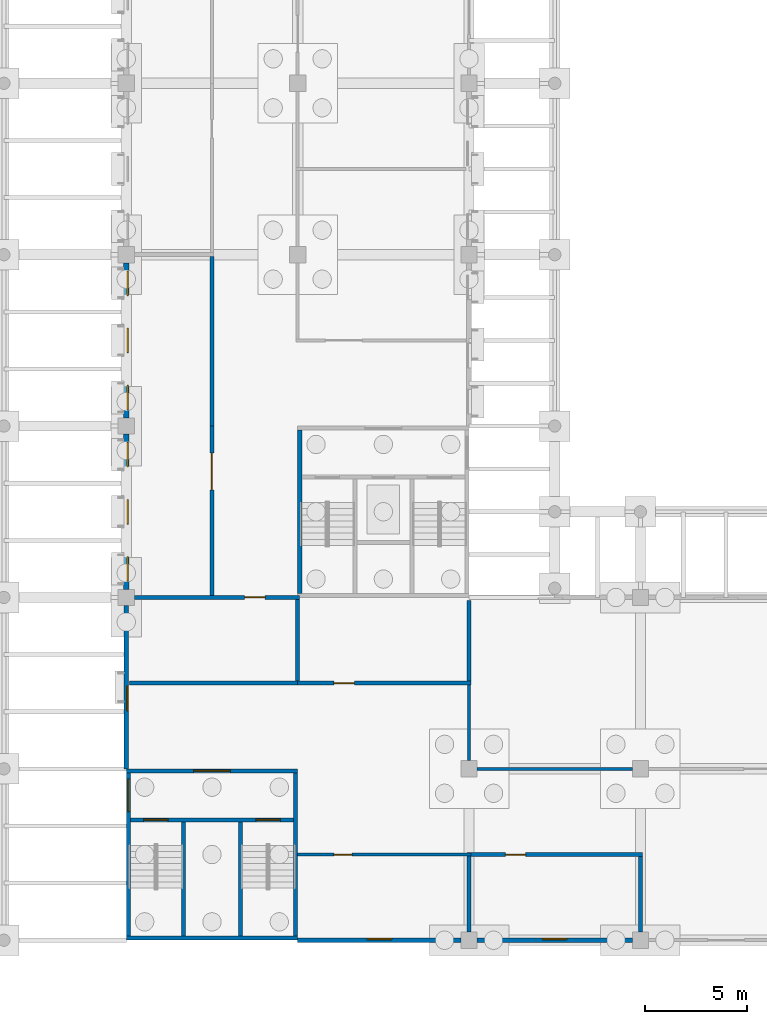
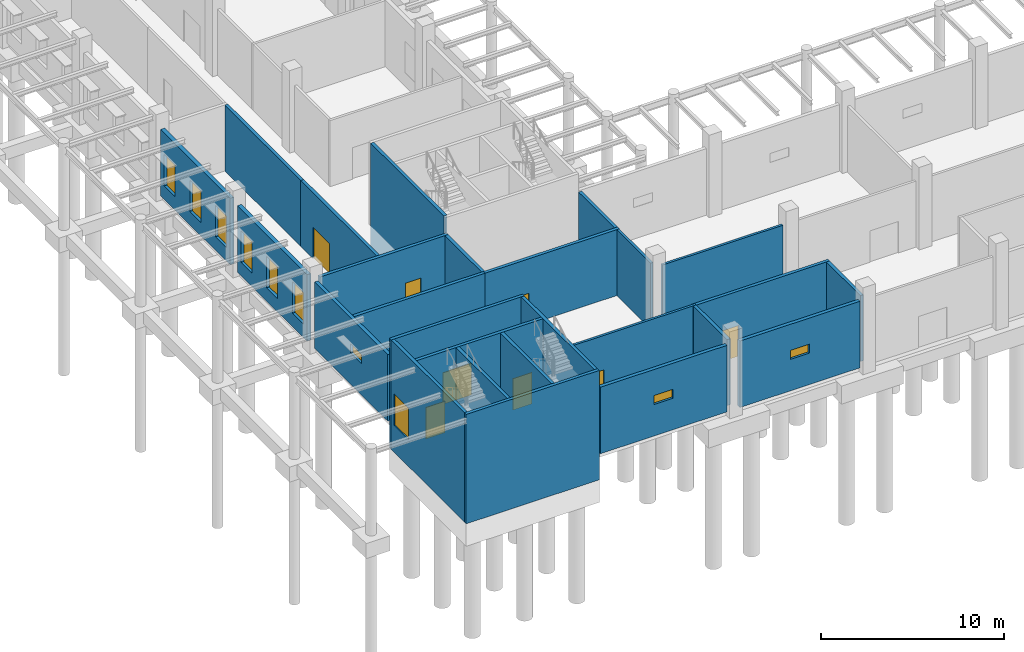
# One storey, part 25 of 82: 26 walls, 9 doors, 9 windows, 18 openings.
"""IFC4 building model written with IfcOpenShell, lengths in metres."""

import ifcopenshell
import ifcopenshell.guid

model = None  # the IFC model being written
_history = None  # IfcOwnerHistory: only IFC2X3 demands one
_inside = {}  # id of a spatial element -> (the spatial element, [elements in it])
_under = {}  # id of a project, library or spatial element -> (it, [spatial elements below it])
_declared = {}  # id of a project -> (the project, [libraries it declares])
_typed = {}  # id of a type object -> (the type object, [elements of that type])
_made_of = {}  # id of a material, layer set ... -> (it, [elements and type objects made of it])


def new_model(schema):
    """Start an empty IFC model of exactly this schema.

    Asked for "IFC4X3", IfcOpenShell would pick the latest addendum, in which some entities
    have other attributes; the version numbers below select the first issue.
    IFC2X3 requires an IfcOwnerHistory on every rooted entity: one is made here for all.
    """
    global model, _history
    if schema == "IFC4X3":
        model = ifcopenshell.file(schema_version=(4, 3, 0, 0))
    else:
        model = ifcopenshell.file(schema=schema)
    _inside.clear()
    _under.clear()
    _declared.clear()
    _typed.clear()
    _made_of.clear()
    _history = None
    if model.schema == "IFC2X3":
        org = make("IfcOrganization", Name="unknown")
        user = make(
            "IfcPersonAndOrganization",
            ThePerson=make("IfcPerson", FamilyName="unknown"),
            TheOrganization=org,
        )
        app = make(
            "IfcApplication",
            ApplicationDeveloper=org,
            Version="unknown",
            ApplicationFullName="unknown",
            ApplicationIdentifier="unknown",
        )
        _history = make(
            "IfcOwnerHistory",
            OwningUser=user,
            OwningApplication=app,
            ChangeAction="ADDED",
            CreationDate=0,
        )
    return model


def make(cls, **values):
    """One entity of the class cls with the attributes given. An attribute that is None is left unset."""
    return model.create_entity(
        cls, **{name: value for name, value in values.items() if value is not None}
    )


def rooted(cls, **values):
    """An entity with a GlobalId (a new one), such as an element, a storey or a relation."""
    return make(cls, GlobalId=ifcopenshell.guid.new(), OwnerHistory=_history, **values)


def si_unit(unit_type, name, prefix=None):
    """IfcSIUnit, for example si_unit("LENGTHUNIT", "METRE", prefix="MILLI")."""
    return make("IfcSIUnit", UnitType=unit_type, Prefix=prefix, Name=name)


def assignment(units):
    """IfcUnitAssignment: the units of a project."""
    return None if units is None else make("IfcUnitAssignment", Units=units)


def point(xyz):
    """IfcCartesianPoint."""
    return None if xyz is None else make("IfcCartesianPoint", Coordinates=xyz)


def direction(xyz):
    """IfcDirection."""
    return None if xyz is None else make("IfcDirection", DirectionRatios=xyz)


def frame(location, z_axis=None, x_axis=None):
    """IfcAxis2Placement3D, a coordinate frame: its origin and axes. An axis left out is left unset."""
    return make(
        "IfcAxis2Placement3D",
        Location=point(location),
        Axis=direction(z_axis),
        RefDirection=direction(x_axis),
    )


def frame_2d(location, x_axis=None):
    """IfcAxis2Placement2D, a coordinate frame in the plane: its origin and x axis."""
    return make(
        "IfcAxis2Placement2D", Location=point(location), RefDirection=direction(x_axis)
    )


def origin():
    """The frame at (0, 0, 0) with its axes left unset."""
    return frame((0.0, 0.0, 0.0))


def place(relative_to, where):
    """IfcLocalPlacement: puts the frame where relative to a parent placement (None: the world)."""
    return make(
        "IfcLocalPlacement", PlacementRelTo=relative_to, RelativePlacement=where
    )


def context(
    kind, dimensions, precision=None, world=None, true_north=None, identifier=None
):
    """IfcGeometricRepresentationContext, for example the 3D "Model" context."""
    return make(
        "IfcGeometricRepresentationContext",
        ContextIdentifier=identifier,
        ContextType=kind,
        CoordinateSpaceDimension=dimensions,
        Precision=precision,
        WorldCoordinateSystem=world,
        TrueNorth=true_north,
    )


def subcontext(parent, identifier, kind, view, scale=None):
    """IfcGeometricRepresentationSubContext, for example "Body" below "Model"."""
    return make(
        "IfcGeometricRepresentationSubContext",
        ContextIdentifier=identifier,
        ContextType=kind,
        ParentContext=parent,
        TargetScale=scale,
        TargetView=view,
    )


def project(units=None, contexts=None):
    """IfcProject with its units and contexts."""
    return rooted(
        "IfcProject",
        Name="project",
        RepresentationContexts=contexts,
        UnitsInContext=assignment(units),
    )


def spatial(cls, under=None, at=None, **own):
    """A site, building, storey or space (cls), placed at a placement, below another one or the project."""
    s = rooted(cls, ObjectPlacement=at, **own)
    if under is not None:
        _under.setdefault(under.id(), (under, []))[1].append(s)
    return s


def profile(cls, at=None, kind="AREA", **sizes):
    """A parametric profile (cls). Its sizes go by their IFC names, for example OverallWidth=200.0."""
    return make(cls, ProfileType=kind, Position=at, **sizes)


def rectangle(**sizes):
    """IfcRectangleProfileDef."""
    return profile("IfcRectangleProfileDef", **sizes)


def extrude(swept, where, along, depth):
    """IfcExtrudedAreaSolid: the profile swept, set in the frame where, extruded along a direction by depth."""
    return make(
        "IfcExtrudedAreaSolid",
        SweptArea=swept,
        Position=where,
        ExtrudedDirection=direction(along),
        Depth=depth,
    )


def shape(context_of_items, identifier, shape_type, items):
    """IfcShapeRepresentation: the items that make up one representation, for example the "Body"."""
    return make(
        "IfcShapeRepresentation",
        ContextOfItems=context_of_items,
        RepresentationIdentifier=identifier,
        RepresentationType=shape_type,
        Items=items,
    )


def material(Name=None, Category=None):
    """IfcMaterial."""
    return make("IfcMaterial", Name=Name, Category=Category)


def layer(
    of_material, thickness, ventilated=None, Name=None, Category=None, Priority=None
):
    """IfcMaterialLayer: one layer of a wall or slab, of a material (None: an air gap)."""
    return make(
        "IfcMaterialLayer",
        Material=of_material,
        LayerThickness=thickness,
        IsVentilated=ventilated,
        Name=Name,
        Category=Category,
        Priority=Priority,
    )


def layer_set(layers, Name=None):
    """IfcMaterialLayerSet."""
    return make("IfcMaterialLayerSet", MaterialLayers=layers, LayerSetName=Name)


def made_of(thing, what):
    """Note that an element or type object is made of a material, layer set ...; save() writes the relation."""
    if what is not None:
        _made_of.setdefault(what.id(), (what, []))[1].append(thing)
    return thing


def type_object(cls, material=None, **own):
    """A type object (cls), such as IfcWallType, which elements share."""
    return made_of(rooted(cls, **own), material)


def element(
    cls,
    number,
    at=None,
    inside=None,
    cuts=None,
    type_object=None,
    material=None,
    context=None,
    identifier="Body",
    shape_type=None,
    held_by="IfcProductDefinitionShape",
    body=None,
    shapes=None,
    **own,
):
    """One element of the class cls, such as IfcWall. Its Tag is "e" and its number.

    at: its placement. inside: the storey or other place that contains it. cuts: it is an
    opening in that element (IfcRelVoidsElement). A single representation is given by context,
    identifier, shape_type and body (its items); several are given by shapes. held_by: the class
    of the entity that holds the representations. save() writes the other relations.
    """
    e = rooted(cls, Tag="e%d" % number, ObjectPlacement=at, **own)
    if body is not None:
        shapes = [shape(context, identifier, shape_type, body)]
    if shapes is not None:
        e.Representation = make(held_by, Representations=shapes)
    if inside is not None:
        _inside.setdefault(inside.id(), (inside, []))[1].append(e)
    if cuts is not None:
        rooted(
            "IfcRelVoidsElement", RelatingBuildingElement=cuts, RelatedOpeningElement=e
        )
    if type_object is not None:
        _typed.setdefault(type_object.id(), (type_object, []))[1].append(e)
    return made_of(e, material)


def fill(opening, filler):
    """IfcRelFillsElement: the door or window that sits in an opening."""
    return rooted(
        "IfcRelFillsElement",
        RelatingOpeningElement=opening,
        RelatedBuildingElement=filler,
    )


def aggregate(whole, parts):
    """IfcRelAggregates: a whole, such as a stair, and the parts it consists of."""
    return rooted("IfcRelAggregates", RelatingObject=whole, RelatedObjects=parts)


def save(model, path):
    """Write the relations noted so far, then the file.

    IfcRelAggregates (storeys below a building ...), IfcRelContainedInSpatialStructure (elements
    in a storey), IfcRelDefinesByType, IfcRelAssociatesMaterial and IfcRelDeclares: one each for
    every whole, place, type object, material and project.
    """
    for whole, parts in _under.values():
        aggregate(whole, parts)
    for where, things in _inside.values():
        rooted(
            "IfcRelContainedInSpatialStructure",
            RelatedElements=things,
            RelatingStructure=where,
        )
    for kind, things in _typed.values():
        rooted("IfcRelDefinesByType", RelatedObjects=things, RelatingType=kind)
    for what, things in _made_of.values():
        rooted("IfcRelAssociatesMaterial", RelatedObjects=things, RelatingMaterial=what)
    for by, libraries in _declared.values():
        rooted("IfcRelDeclares", RelatingContext=by, RelatedDefinitions=libraries)
    model.write(path)


model = new_model("IFC4")

# Units and contexts
model_context = context("Model", 3, precision=1e-05, world=origin(), true_north=direction((0.0, 1.0)))
body_context = subcontext(model_context, "Body", "Model", "MODEL_VIEW")
ifc_project = project(units=[si_unit("LENGTHUNIT", "METRE"), si_unit("AREAUNIT", "SQUARE_METRE"), si_unit("VOLUMEUNIT", "CUBIC_METRE"), si_unit("PLANEANGLEUNIT", "RADIAN"), si_unit("MASSUNIT", "GRAM", prefix="KILO")], contexts=[model_context])

# Site, building, storey
site_placement = place(None, origin())
site = spatial("IfcSite", under=ifc_project, at=site_placement, CompositionType="ELEMENT")
building_placement = place(site_placement, origin())
building = spatial("IfcBuilding", under=site, at=building_placement, Name="Almond Square Museum", CompositionType="ELEMENT")
storey_placement = place(building_placement, origin())
storey = spatial("IfcBuildingStorey", under=building, at=storey_placement, Name="L00", CompositionType="ELEMENT", Elevation=0.0)

# Wall, opening, door
ifc_material_1 = material(Name="Concrete blockwork 200", Category="masonry")
ifc_layer_1 = layer(ifc_material_1, 0.199951171875)
ifc_layer_set_1 = layer_set([ifc_layer_1], Name="Concrete blockwork 200")
wall_type_1 = type_object("IfcWallType", Name="Fire partition 200 blockwork", PredefinedType="PARTITIONING", material=ifc_layer_set_1)
wall_1_placement = place(storey_placement, frame((10.199951171875, 16.89990234375, 0.0), z_axis=(0.0, 0.0, 1.0), x_axis=(0.0, 1.0, 0.0)))
wall_1 = element("IfcWall", 1, at=wall_1_placement, inside=storey, type_object=wall_type_1, Name="L00 partition 59", PredefinedType="PARTITIONING", context=body_context, shape_type="SweptSolid", body=[
    extrude(rectangle(XDim=8.300048828125, YDim=0.199951171875, at=frame_2d((4.14990234375, 0.0))), origin(), (0.0, 0.0, 1.0), 4.39990234375),
])
opening_1_placement = place(wall_1_placement, frame((5.175048828125, 0.0, 0.0)))
opening_1 = element("IfcOpeningElement", 2, at=opening_1_placement, cuts=wall_1, Name="Opening D0120", PredefinedType="OPENING", context=body_context, shape_type="SweptSolid", body=[
    extrude(rectangle(XDim=1.800048828125, YDim=2.10009765625, at=frame_2d((0.89990234375, 1.050048828125))), frame((0.0, 0.10986328125, 0.0), z_axis=(0.0, -1.0, 0.0), x_axis=(1.0, 0.0, 0.0)), (0.0, 0.0, 1.0), 0.219970703125),
])
ifc_material_2 = material(Name="Steel", Category="steel")
door_type_1 = type_object("IfcDoorType", Name="Fire door 1800 x 2100 FD60 double", OperationType="NOTDEFINED", PredefinedType="DOOR", material=ifc_material_2)
door_1_placement = place(opening_1_placement, origin())
door_1 = element("IfcDoor", 3, at=door_1_placement, inside=storey, type_object=door_type_1, Name="L00 door Learning Store to Wing Corridor", OperationType="DOUBLE_DOOR_SINGLE_SWING", OverallHeight=2.10009765625, OverallWidth=1.800048828125, PredefinedType="DOOR", context=body_context, shape_type="SweptSolid", body=[
    extrude(rectangle(XDim=1.800048828125, YDim=2.10009765625, at=frame_2d((0.89990234375, 1.050048828125))), frame((0.0, 0.02490234375, 0.0), z_axis=(0.0, -1.0, 0.0), x_axis=(1.0, 0.0, 0.0)), (0.0, 0.0, 1.0), 0.050048828125),
])
fill(opening_1, door_1)

# Wall
wall_2_placement = place(storey_placement, frame((10.199951171875, 25.199951171875, 0.0), z_axis=(0.0, 0.0, 1.0), x_axis=(0.0, 1.0, 0.0)))
element("IfcWall", 4, at=wall_2_placement, inside=storey, type_object=wall_type_1, Name="L00 partition 60", PredefinedType="PARTITIONING", context=body_context, shape_type="SweptSolid", body=[
    extrude(rectangle(XDim=8.300048828125, YDim=0.199951171875, at=frame_2d((4.14990234375, 0.0))), origin(), (0.0, 0.0, 1.0), 4.39990234375),
])

# Wall, opening, door
wall_3_placement = place(storey_placement, frame((6.39990234375, 16.800048828125, 0.0), z_axis=(0.0, 0.0, 1.0), x_axis=(1.0, 0.0, 0.0)))
wall_3 = element("IfcWall", 5, at=wall_3_placement, inside=storey, type_object=wall_type_1, Name="L00 partition 65", PredefinedType="PARTITIONING", context=body_context, shape_type="SweptSolid", body=[
    extrude(rectangle(XDim=8.10009765625, YDim=0.199951171875, at=frame_2d((4.050048828125, 0.0))), origin(), (0.0, 0.0, 1.0), 4.39990234375),
])
opening_2_placement = place(wall_3_placement, frame((5.39990234375, 0.0, 0.0)))
opening_2 = element("IfcOpeningElement", 6, at=opening_2_placement, cuts=wall_3, Name="Opening D0124", PredefinedType="OPENING", context=body_context, shape_type="SweptSolid", body=[
    extrude(rectangle(XDim=1.0, YDim=2.10009765625, at=frame_2d((0.5, 1.050048828125))), frame((0.0, 0.10986328125, 0.0), z_axis=(0.0, -1.0, 0.0), x_axis=(1.0, 0.0, 0.0)), (0.0, 0.0, 1.0), 0.219970703125),
])
ifc_material_3 = material(Name="Steel", Category="steel")
door_type_2 = type_object("IfcDoorType", Name="Fire door 1000 x 2100 FD60 single", OperationType="NOTDEFINED", PredefinedType="DOOR", material=ifc_material_3)
door_2_placement = place(opening_2_placement, origin())
door_2 = element("IfcDoor", 7, at=door_2_placement, inside=storey, type_object=door_type_2, Name="L00 door Waste and Recycling Store to Wing Corridor", OperationType="SINGLE_SWING_LEFT", OverallHeight=2.10009765625, OverallWidth=1.0, PredefinedType="DOOR", context=body_context, shape_type="SweptSolid", body=[
    extrude(rectangle(XDim=1.0, YDim=2.10009765625, at=frame_2d((0.5, 1.050048828125))), frame((0.0, 0.02490234375, 0.0), z_axis=(0.0, -1.0, 0.0), x_axis=(1.0, 0.0, 0.0)), (0.0, 0.0, 1.0), 0.050048828125),
])
fill(opening_2, door_2)

# Walls
wall_4_placement = place(storey_placement, frame((14.39990234375, 12.699951171875, 0.0), z_axis=(0.0, 0.0, 1.0), x_axis=(0.0, 1.0, 0.0)))
element("IfcWall", 8, at=wall_4_placement, inside=storey, type_object=wall_type_1, Name="L00 partition 71", PredefinedType="PARTITIONING", context=body_context, shape_type="SweptSolid", body=[
    extrude(rectangle(XDim=4.0, YDim=0.199951171875, at=frame_2d((2.0, 0.0))), origin(), (0.0, 0.0, 1.0), 4.39990234375),
])
wall_5_placement = place(storey_placement, frame((22.800048828125, 12.699951171875, 0.0), z_axis=(0.0, 0.0, 1.0), x_axis=(0.0, 1.0, 0.0)))
element("IfcWall", 9, at=wall_5_placement, inside=storey, type_object=wall_type_1, Name="L00 partition 72", PredefinedType="PARTITIONING", context=body_context, shape_type="SweptSolid", body=[
    extrude(rectangle(XDim=3.949951171875, YDim=0.199951171875, at=frame_2d((1.97509765625, 0.0))), origin(), (0.0, 0.0, 1.0), 4.39990234375),
])
wall_6_placement = place(storey_placement, frame((6.14990234375, 12.60009765625, 0.0), z_axis=(0.0, 0.0, 1.0), x_axis=(1.0, 0.0, 0.0)))
element("IfcWall", 10, at=wall_6_placement, inside=storey, type_object=wall_type_1, Name="L00 partition 78", PredefinedType="PARTITIONING", context=body_context, shape_type="SweptSolid", body=[
    extrude(rectangle(XDim=8.25, YDim=0.199951171875, at=frame_2d((4.125, 0.0))), origin(), (0.0, 0.0, 1.0), 4.39990234375),
])

# Wall, opening, door
wall_7_placement = place(storey_placement, frame((14.39990234375, 12.60009765625, 0.0), z_axis=(0.0, 0.0, 1.0), x_axis=(1.0, 0.0, 0.0)))
wall_7 = element("IfcWall", 11, at=wall_7_placement, inside=storey, type_object=wall_type_1, Name="L00 partition 79", PredefinedType="PARTITIONING", context=body_context, shape_type="SweptSolid", body=[
    extrude(rectangle(XDim=8.5, YDim=0.199951171875, at=frame_2d((4.25, 0.0))), origin(), (0.0, 0.0, 1.0), 4.39990234375),
])
opening_3_placement = place(wall_7_placement, frame((1.77490234375, 0.0, 0.0)))
opening_3 = element("IfcOpeningElement", 12, at=opening_3_placement, cuts=wall_7, Name="Opening D0122", PredefinedType="OPENING", context=body_context, shape_type="SweptSolid", body=[
    extrude(rectangle(XDim=1.0, YDim=2.10009765625, at=frame_2d((0.5, 1.050048828125))), frame((0.0, 0.10986328125, 0.0), z_axis=(0.0, -1.0, 0.0), x_axis=(1.0, 0.0, 0.0)), (0.0, 0.0, 1.0), 0.219970703125),
])
door_3_placement = place(opening_3_placement, origin())
door_3 = element("IfcDoor", 13, at=door_3_placement, inside=storey, type_object=door_type_2, Name="L00 door Electrical Room to Service Corridor 2", OperationType="SINGLE_SWING_LEFT", OverallHeight=2.10009765625, OverallWidth=1.0, PredefinedType="DOOR", context=body_context, shape_type="SweptSolid", body=[
    extrude(rectangle(XDim=1.0, YDim=2.10009765625, at=frame_2d((0.5, 1.050048828125))), frame((0.0, 0.02490234375, 0.0), z_axis=(0.0, -1.0, 0.0), x_axis=(1.0, 0.0, 0.0)), (0.0, 0.0, 1.0), 0.050048828125),
])
fill(opening_3, door_3)

wall_8_placement = place(storey_placement, frame((22.699951171875, 4.199951171875, 0.0), z_axis=(0.0, 0.0, 1.0), x_axis=(1.0, 0.0, 0.0)))
wall_8 = element("IfcWall", 14, at=wall_8_placement, inside=storey, type_object=wall_type_1, Name="L00 partition 108", PredefinedType="PARTITIONING", context=body_context, shape_type="SweptSolid", body=[
    extrude(rectangle(XDim=8.60009765625, YDim=0.199951171875, at=frame_2d((4.300048828125, 0.0))), origin(), (0.0, 0.0, 1.0), 4.39990234375),
])
opening_4_placement = place(wall_8_placement, frame((1.875, 0.0, 0.0)))
opening_4 = element("IfcOpeningElement", 15, at=opening_4_placement, cuts=wall_8, Name="Opening D0134", PredefinedType="OPENING", context=body_context, shape_type="SweptSolid", body=[
    extrude(rectangle(XDim=1.0, YDim=2.10009765625, at=frame_2d((0.5, 1.050048828125))), frame((0.0, 0.10986328125, 0.0), z_axis=(0.0, -1.0, 0.0), x_axis=(1.0, 0.0, 0.0)), (0.0, 0.0, 1.0), 0.219970703125),
])
door_4_placement = place(opening_4_placement, origin())
door_4 = element("IfcDoor", 16, at=door_4_placement, inside=storey, type_object=door_type_2, Name="L00 door Fire Command Room to Service Corridor 2", OperationType="SINGLE_SWING_RIGHT", OverallHeight=2.10009765625, OverallWidth=1.0, PredefinedType="DOOR", context=body_context, shape_type="SweptSolid", body=[
    extrude(rectangle(XDim=1.0, YDim=2.10009765625, at=frame_2d((0.5, 1.050048828125))), frame((0.0, 0.02490234375, 0.0), z_axis=(0.0, -1.0, 0.0), x_axis=(1.0, 0.0, 0.0)), (0.0, 0.0, 1.0), 0.050048828125),
])
fill(opening_4, door_4)

# Walls
wall_9_placement = place(storey_placement, frame((31.199951171875, 0.39990234375, 0.0), z_axis=(0.0, 0.0, 1.0), x_axis=(0.0, 1.0, 0.0)))
element("IfcWall", 17, at=wall_9_placement, inside=storey, type_object=wall_type_1, Name="L00 partition 111", PredefinedType="PARTITIONING", context=body_context, shape_type="SweptSolid", body=[
    extrude(rectangle(XDim=3.7001953125, YDim=0.199951171875, at=frame_2d((1.85009765625, 0.0))), origin(), (0.0, 0.0, 1.0), 4.39990234375),
])
wall_10_placement = place(storey_placement, frame((22.800048828125, 0.39990234375, 0.0), z_axis=(0.0, 0.0, 1.0), x_axis=(0.0, 1.0, 0.0)))
element("IfcWall", 18, at=wall_10_placement, inside=storey, type_object=wall_type_1, Name="L00 partition 117", PredefinedType="PARTITIONING", context=body_context, shape_type="SweptSolid", body=[
    extrude(rectangle(XDim=3.72509765625, YDim=0.199951171875, at=frame_2d((1.862548828125, 0.0))), origin(), (0.0, 0.0, 1.0), 4.39990234375),
])
ifc_material_4 = material(Name="Plasterboard on steel stud", Category="steel")
ifc_layer_2 = layer(ifc_material_4, 0.14990234375)
ifc_layer_set_2 = layer_set([ifc_layer_2], Name="Plasterboard on steel stud")
wall_type_2 = type_object("IfcWallType", Name="Partition 150 plasterboard on steel stud", PredefinedType="PARTITIONING", material=ifc_layer_set_2)
wall_11_placement = place(storey_placement, frame((23.199951171875, 8.39990234375, 0.0), z_axis=(0.0, 0.0, 1.0), x_axis=(1.0, 0.0, 0.0)))
element("IfcWall", 19, at=wall_11_placement, inside=storey, type_object=wall_type_2, Name="L00 partition 81", PredefinedType="PARTITIONING", context=body_context, shape_type="SweptSolid", body=[
    extrude(rectangle(XDim=7.60009765625, YDim=0.14990234375, at=frame_2d((3.800048828125, 0.0))), origin(), (0.0, 0.0, 1.0), 4.39990234375),
])
wall_12_placement = place(storey_placement, frame((22.800048828125, 8.800048828125, 0.0), z_axis=(0.0, 0.0, 1.0), x_axis=(0.0, 1.0, 0.0)))
element("IfcWall", 20, at=wall_12_placement, inside=storey, type_object=wall_type_2, Name="L00 partition 85", PredefinedType="PARTITIONING", context=body_context, shape_type="SweptSolid", body=[
    extrude(rectangle(XDim=3.699951171875, YDim=0.14990234375, at=frame_2d((1.85009765625, 0.0))), origin(), (0.0, 0.0, 1.0), 4.39990234375),
])

# Wall, opening, door
wall_13_placement = place(storey_placement, frame((14.39990234375, 4.199951171875, 0.0), z_axis=(0.0, 0.0, 1.0), x_axis=(1.0, 0.0, 0.0)))
wall_13 = element("IfcWall", 21, at=wall_13_placement, inside=storey, type_object=wall_type_2, Name="L00 partition 107", PredefinedType="PARTITIONING", context=body_context, shape_type="SweptSolid", body=[
    extrude(rectangle(XDim=8.5, YDim=0.14990234375, at=frame_2d((4.25, 0.0))), origin(), (0.0, 0.0, 1.0), 4.39990234375),
])
opening_5_placement = place(wall_13_placement, frame((1.77490234375, 0.0, 0.0)))
opening_5 = element("IfcOpeningElement", 22, at=opening_5_placement, cuts=wall_13, Name="Opening D0133", PredefinedType="OPENING", context=body_context, shape_type="SweptSolid", body=[
    extrude(rectangle(XDim=0.89990234375, YDim=2.10009765625, at=frame_2d((0.449951171875, 1.050048828125))), frame((0.0, 0.0849609375, 0.0), z_axis=(0.0, -1.0, 0.0), x_axis=(1.0, 0.0, 0.0)), (0.0, 0.0, 1.0), 0.169921875),
])
ifc_material_5 = material(Name="Timber", Category="wood")
door_type_3 = type_object("IfcDoorType", Name="Door 900 x 2100 timber single", OperationType="NOTDEFINED", PredefinedType="DOOR", material=ifc_material_5)
door_5_placement = place(opening_5_placement, origin())
door_5 = element("IfcDoor", 23, at=door_5_placement, inside=storey, type_object=door_type_3, Name="L00 door Security Control Room to Service Corridor 2", OperationType="SINGLE_SWING_LEFT", OverallHeight=2.10009765625, OverallWidth=0.89990234375, PredefinedType="DOOR", context=body_context, shape_type="SweptSolid", body=[
    extrude(rectangle(XDim=0.89990234375, YDim=2.10009765625, at=frame_2d((0.449951171875, 1.050048828125))), frame((0.0, 0.02490234375, 0.0), z_axis=(0.0, -1.0, 0.0), x_axis=(1.0, 0.0, 0.0)), (0.0, 0.0, 1.0), 0.050048828125),
])
fill(opening_5, door_5)

# Wall, openings, windows
ifc_material_6 = material(Name="Precast concrete C40/50", Category="concrete")
ifc_layer_3 = layer(ifc_material_6, 0.25)
ifc_layer_set_3 = layer_set([ifc_layer_3], Name="Precast concrete C40/50")
wall_type_3 = type_object("IfcWallType", Name="Precast concrete panel wall 250 with coral limestone piers", PredefinedType="SOLIDWALL", material=ifc_layer_set_3)
wall_14_placement = place(storey_placement, frame((6.0, 25.60009765625, 0.0), z_axis=(0.0, 0.0, 1.0), x_axis=(0.0, 1.0, 0.0)))
wall_14 = element("IfcWall", 24, at=wall_14_placement, inside=storey, type_object=wall_type_3, Name="External wall W2 V4W L00 W06", PredefinedType="SOLIDWALL", context=body_context, shape_type="SweptSolid", body=[
    extrude(rectangle(XDim=7.599853515625, YDim=0.25, at=frame_2d((3.7998046875, 0.0))), origin(), (0.0, 0.0, 1.0), 4.43994140625),
])
opening_6_placement = place(wall_14_placement, frame((0.39990234375, 0.0, 0.89990234375)))
opening_6 = element("IfcOpeningElement", 25, at=opening_6_placement, cuts=wall_14, Name="Opening W0137", PredefinedType="OPENING", context=body_context, shape_type="SweptSolid", body=[
    extrude(rectangle(XDim=1.199951171875, YDim=2.10009765625, at=frame_2d((0.60009765625, 1.050048828125))), frame((0.0, 0.135009765625, 0.0), z_axis=(0.0, -1.0, 0.0), x_axis=(1.0, 0.0, 0.0)), (0.0, 0.0, 1.0), 0.27001953125),
])
opening_7_placement = place(wall_14_placement, frame((3.199951171875, 0.0, 0.89990234375)))
opening_7 = element("IfcOpeningElement", 26, at=opening_7_placement, cuts=wall_14, Name="Opening W0138", PredefinedType="OPENING", context=body_context, shape_type="SweptSolid", body=[
    extrude(rectangle(XDim=1.199951171875, YDim=2.10009765625, at=frame_2d((0.60009765625, 1.050048828125))), frame((0.0, 0.135009765625, 0.0), z_axis=(0.0, -1.0, 0.0), x_axis=(1.0, 0.0, 0.0)), (0.0, 0.0, 1.0), 0.27001953125),
])
opening_8_placement = place(wall_14_placement, frame((6.0, 0.0, 0.89990234375)))
opening_8 = element("IfcOpeningElement", 27, at=opening_8_placement, cuts=wall_14, Name="Opening W0139", PredefinedType="OPENING", context=body_context, shape_type="SweptSolid", body=[
    extrude(rectangle(XDim=1.199951171875, YDim=2.10009765625, at=frame_2d((0.60009765625, 1.050048828125))), frame((0.0, 0.135009765625, 0.0), z_axis=(0.0, -1.0, 0.0), x_axis=(1.0, 0.0, 0.0)), (0.0, 0.0, 1.0), 0.27001953125),
])
ifc_material_7 = material(Name="Anodised aluminium louvre and laminated glass", Category="aluminium")
window_type_1 = type_object("IfcWindowType", Name="Louvred pier window", PartitioningType="SINGLE_PANEL", PredefinedType="WINDOW", material=ifc_material_7)
window_1_placement = place(opening_6_placement, origin())
window_1 = element("IfcWindow", 28, at=window_1_placement, inside=storey, type_object=window_type_1, Name="Louvred pier window W0137", OverallHeight=2.10009765625, OverallWidth=1.199951171875, PartitioningType="SINGLE_PANEL", PredefinedType="WINDOW", context=body_context, shape_type="SweptSolid", body=[
    extrude(rectangle(XDim=1.199951171875, YDim=2.10009765625, at=frame_2d((0.60009765625, 1.050048828125))), frame((0.0, -0.044921875, 0.0), z_axis=(0.0, -1.0, 0.0), x_axis=(1.0, 0.0, 0.0)), (0.0, 0.0, 1.0), 0.06005859375),
])
fill(opening_6, window_1)
window_2_placement = place(opening_7_placement, origin())
window_2 = element("IfcWindow", 29, at=window_2_placement, inside=storey, type_object=window_type_1, Name="Louvred pier window W0138", OverallHeight=2.10009765625, OverallWidth=1.199951171875, PartitioningType="SINGLE_PANEL", PredefinedType="WINDOW", context=body_context, shape_type="SweptSolid", body=[
    extrude(rectangle(XDim=1.199951171875, YDim=2.10009765625, at=frame_2d((0.60009765625, 1.050048828125))), frame((0.0, -0.044921875, 0.0), z_axis=(0.0, -1.0, 0.0), x_axis=(1.0, 0.0, 0.0)), (0.0, 0.0, 1.0), 0.06005859375),
])
fill(opening_7, window_2)
window_3_placement = place(opening_8_placement, origin())
window_3 = element("IfcWindow", 30, at=window_3_placement, inside=storey, type_object=window_type_1, Name="Louvred pier window W0139", OverallHeight=2.10009765625, OverallWidth=1.199951171875, PartitioningType="SINGLE_PANEL", PredefinedType="WINDOW", context=body_context, shape_type="SweptSolid", body=[
    extrude(rectangle(XDim=1.199951171875, YDim=2.10009765625, at=frame_2d((0.60009765625, 1.050048828125))), frame((0.0, -0.044921875, 0.0), z_axis=(0.0, -1.0, 0.0), x_axis=(1.0, 0.0, 0.0)), (0.0, 0.0, 1.0), 0.06005859375),
])
fill(opening_8, window_3)

wall_15_placement = place(storey_placement, frame((6.0, 17.199951171875, 0.0), z_axis=(0.0, 0.0, 1.0), x_axis=(0.0, 1.0, 0.0)))
wall_15 = element("IfcWall", 31, at=wall_15_placement, inside=storey, type_object=wall_type_3, Name="External wall W2 V4W L00 W07", PredefinedType="SOLIDWALL", context=body_context, shape_type="SweptSolid", body=[
    extrude(rectangle(XDim=7.60009765625, YDim=0.25, at=frame_2d((3.800048828125, 0.0))), origin(), (0.0, 0.0, 1.0), 4.43994140625),
])
opening_9_placement = place(wall_15_placement, frame((0.39990234375, 0.0, 0.89990234375)))
opening_9 = element("IfcOpeningElement", 32, at=opening_9_placement, cuts=wall_15, Name="Opening W0140", PredefinedType="OPENING", context=body_context, shape_type="SweptSolid", body=[
    extrude(rectangle(XDim=1.199951171875, YDim=2.10009765625, at=frame_2d((0.60009765625, 1.050048828125))), frame((0.0, 0.135009765625, 0.0), z_axis=(0.0, -1.0, 0.0), x_axis=(1.0, 0.0, 0.0)), (0.0, 0.0, 1.0), 0.27001953125),
])
opening_10_placement = place(wall_15_placement, frame((3.199951171875, 0.0, 0.89990234375)))
opening_10 = element("IfcOpeningElement", 33, at=opening_10_placement, cuts=wall_15, Name="Opening W0141", PredefinedType="OPENING", context=body_context, shape_type="SweptSolid", body=[
    extrude(rectangle(XDim=1.199951171875, YDim=2.10009765625, at=frame_2d((0.60009765625, 1.050048828125))), frame((0.0, 0.135009765625, 0.0), z_axis=(0.0, -1.0, 0.0), x_axis=(1.0, 0.0, 0.0)), (0.0, 0.0, 1.0), 0.27001953125),
])
opening_11_placement = place(wall_15_placement, frame((6.0, 0.0, 0.89990234375)))
opening_11 = element("IfcOpeningElement", 34, at=opening_11_placement, cuts=wall_15, Name="Opening W0142", PredefinedType="OPENING", context=body_context, shape_type="SweptSolid", body=[
    extrude(rectangle(XDim=1.199951171875, YDim=2.10009765625, at=frame_2d((0.60009765625, 1.050048828125))), frame((0.0, 0.135009765625, 0.0), z_axis=(0.0, -1.0, 0.0), x_axis=(1.0, 0.0, 0.0)), (0.0, 0.0, 1.0), 0.27001953125),
])
window_4_placement = place(opening_9_placement, origin())
window_4 = element("IfcWindow", 35, at=window_4_placement, inside=storey, type_object=window_type_1, Name="Louvred pier window W0140", OverallHeight=2.10009765625, OverallWidth=1.199951171875, PartitioningType="SINGLE_PANEL", PredefinedType="WINDOW", context=body_context, shape_type="SweptSolid", body=[
    extrude(rectangle(XDim=1.199951171875, YDim=2.10009765625, at=frame_2d((0.60009765625, 1.050048828125))), frame((0.0, -0.044921875, 0.0), z_axis=(0.0, -1.0, 0.0), x_axis=(1.0, 0.0, 0.0)), (0.0, 0.0, 1.0), 0.06005859375),
])
fill(opening_9, window_4)
window_5_placement = place(opening_10_placement, origin())
window_5 = element("IfcWindow", 36, at=window_5_placement, inside=storey, type_object=window_type_1, Name="Louvred pier window W0141", OverallHeight=2.10009765625, OverallWidth=1.199951171875, PartitioningType="SINGLE_PANEL", PredefinedType="WINDOW", context=body_context, shape_type="SweptSolid", body=[
    extrude(rectangle(XDim=1.199951171875, YDim=2.10009765625, at=frame_2d((0.60009765625, 1.050048828125))), frame((0.0, -0.044921875, 0.0), z_axis=(0.0, -1.0, 0.0), x_axis=(1.0, 0.0, 0.0)), (0.0, 0.0, 1.0), 0.06005859375),
])
fill(opening_10, window_5)
window_6_placement = place(opening_11_placement, origin())
window_6 = element("IfcWindow", 37, at=window_6_placement, inside=storey, type_object=window_type_1, Name="Louvred pier window W0142", OverallHeight=2.10009765625, OverallWidth=1.199951171875, PartitioningType="SINGLE_PANEL", PredefinedType="WINDOW", context=body_context, shape_type="SweptSolid", body=[
    extrude(rectangle(XDim=1.199951171875, YDim=2.10009765625, at=frame_2d((0.60009765625, 1.050048828125))), frame((0.0, -0.044921875, 0.0), z_axis=(0.0, -1.0, 0.0), x_axis=(1.0, 0.0, 0.0)), (0.0, 0.0, 1.0), 0.06005859375),
])
fill(opening_11, window_6)

# Walls
ifc_material_8 = material(Name="Concrete C40/50", Category="concrete")
ifc_layer_4 = layer(ifc_material_8, 0.199951171875)
ifc_layer_set_4 = layer_set([ifc_layer_4], Name="Concrete C40/50")
wall_type_4 = type_object("IfcWallType", Name="RC shear wall 200 C40/50", PredefinedType="SHEAR", material=ifc_layer_set_4)
wall_16_placement = place(storey_placement, frame((14.5, 17.0, -1.800048828125), z_axis=(0.0, 0.0, 1.0), x_axis=(0.0, 1.0, 0.0)))
element("IfcWall", 38, at=wall_16_placement, inside=storey, type_object=wall_type_4, Name="Core W1 west wall L00", PredefinedType="SHEAR", context=body_context, shape_type="SweptSolid", body=[
    extrude(rectangle(XDim=8.0, YDim=0.199951171875, at=frame_2d((4.0, 0.0))), origin(), (0.0, 0.0, 1.0), 7.300048828125),
])
wall_17_placement = place(storey_placement, frame((6.0, 0.10009765625, -1.800048828125), z_axis=(0.0, 0.0, 1.0), x_axis=(1.0, 0.0, 0.0)))
element("IfcWall", 39, at=wall_17_placement, inside=storey, type_object=wall_type_4, Name="Core S1 south wall L00", PredefinedType="SHEAR", context=body_context, shape_type="SweptSolid", body=[
    extrude(rectangle(XDim=8.39990234375, YDim=0.199951171875, at=frame_2d((4.199951171875, 0.0))), origin(), (0.0, 0.0, 1.0), 7.300048828125),
])

# Wall, opening, door
wall_18_placement = place(storey_placement, frame((6.0, 8.300048828125, -1.800048828125), z_axis=(0.0, 0.0, 1.0), x_axis=(1.0, 0.0, 0.0)))
wall_18 = element("IfcWall", 40, at=wall_18_placement, inside=storey, type_object=wall_type_4, Name="Core S1 north wall L00", PredefinedType="SHEAR", context=body_context, shape_type="SweptSolid", body=[
    extrude(rectangle(XDim=8.39990234375, YDim=0.199951171875, at=frame_2d((4.199951171875, 0.0))), origin(), (0.0, 0.0, 1.0), 7.300048828125),
])
opening_12_placement = place(wall_18_placement, frame((3.300048828125, 0.0, 1.800048828125)))
opening_12 = element("IfcOpeningElement", 41, at=opening_12_placement, cuts=wall_18, Name="Opening D0203", PredefinedType="OPENING", context=body_context, shape_type="SweptSolid", body=[
    extrude(rectangle(XDim=1.800048828125, YDim=2.10009765625, at=frame_2d((0.89990234375, 1.050048828125))), frame((0.0, 0.10986328125, 0.0), z_axis=(0.0, -1.0, 0.0), x_axis=(1.0, 0.0, 0.0)), (0.0, 0.0, 1.0), 0.219970703125),
])
door_6_placement = place(opening_12_placement, origin())
door_6 = element("IfcDoor", 42, at=door_6_placement, inside=storey, type_object=door_type_1, Name="L00 stair core S1 lobby door", OperationType="DOUBLE_DOOR_SINGLE_SWING", OverallHeight=2.10009765625, OverallWidth=1.800048828125, PredefinedType="DOOR", context=body_context, shape_type="SweptSolid", body=[
    extrude(rectangle(XDim=1.800048828125, YDim=2.10009765625, at=frame_2d((0.89990234375, 1.050048828125))), frame((0.0, 0.02490234375, 0.0), z_axis=(0.0, -1.0, 0.0), x_axis=(1.0, 0.0, 0.0)), (0.0, 0.0, 1.0), 0.050048828125),
])
fill(opening_12, door_6)

wall_19_placement = place(storey_placement, frame((6.10009765625, 0.199951171875, -1.800048828125), z_axis=(0.0, 0.0, 1.0), x_axis=(0.0, 1.0, 0.0)))
wall_19 = element("IfcWall", 43, at=wall_19_placement, inside=storey, type_object=wall_type_4, Name="Core S1 west wall L00", PredefinedType="SHEAR", context=body_context, shape_type="SweptSolid", body=[
    extrude(rectangle(XDim=8.0, YDim=0.199951171875, at=frame_2d((4.0, 0.0))), origin(), (0.0, 0.0, 1.0), 7.300048828125),
])
opening_13_placement = place(wall_19_placement, frame((6.10009765625, 0.0, 1.800048828125)))
opening_13 = element("IfcOpeningElement", 44, at=opening_13_placement, cuts=wall_19, Name="Opening D031", PredefinedType="OPENING", context=body_context, shape_type="SweptSolid", body=[
    extrude(rectangle(XDim=1.60009765625, YDim=2.10009765625, at=frame_2d((0.800048828125, 1.050048828125))), frame((0.0, 0.10986328125, 0.0), z_axis=(0.0, -1.0, 0.0), x_axis=(1.0, 0.0, 0.0)), (0.0, 0.0, 1.0), 0.219970703125),
])
ifc_material_9 = material(Name="Steel frame and steel leaf", Category="steel")
door_type_4 = type_object("IfcDoorType", Name="Stair exit door pair 1600 x 2100", OperationType="NOTDEFINED", PredefinedType="DOOR", material=ifc_material_9)
door_7_placement = place(opening_13_placement, origin())
door_7 = element("IfcDoor", 45, at=door_7_placement, inside=storey, type_object=door_type_4, Name="Stair Exit S1 door D031", OperationType="DOUBLE_DOOR_SINGLE_SWING", OverallHeight=2.10009765625, OverallWidth=1.60009765625, PredefinedType="DOOR", context=body_context, shape_type="SweptSolid", body=[
    extrude(rectangle(XDim=1.60009765625, YDim=2.10009765625, at=frame_2d((0.800048828125, 1.050048828125))), frame((0.0, 0.02490234375, 0.0), z_axis=(0.0, -1.0, 0.0), x_axis=(1.0, 0.0, 0.0)), (0.0, 0.0, 1.0), 0.050048828125),
])
fill(opening_13, door_7)

# Wall
wall_20_placement = place(storey_placement, frame((14.300048828125, 0.199951171875, -1.800048828125), z_axis=(0.0, 0.0, 1.0), x_axis=(0.0, 1.0, 0.0)))
element("IfcWall", 46, at=wall_20_placement, inside=storey, type_object=wall_type_4, Name="Core S1 east wall L00", PredefinedType="SHEAR", context=body_context, shape_type="SweptSolid", body=[
    extrude(rectangle(XDim=8.0, YDim=0.199951171875, at=frame_2d((4.0, 0.0))), origin(), (0.0, 0.0, 1.0), 7.300048828125),
])

# Wall, openings, doors
wall_21_placement = place(storey_placement, frame((6.199951171875, 5.89990234375, -1.800048828125), z_axis=(0.0, 0.0, 1.0), x_axis=(1.0, 0.0, 0.0)))
wall_21 = element("IfcWall", 47, at=wall_21_placement, inside=storey, type_object=wall_type_4, Name="Core S1 lobby wall L00", PredefinedType="SHEAR", context=body_context, shape_type="SweptSolid", body=[
    extrude(rectangle(XDim=8.0, YDim=0.199951171875, at=frame_2d((4.0, 0.0))), origin(), (0.0, 0.0, 1.0), 7.300048828125),
])
opening_14_placement = place(wall_21_placement, frame((0.64990234375, 0.0, 1.800048828125)))
opening_14 = element("IfcOpeningElement", 48, at=opening_14_placement, cuts=wall_21, Name="Opening D0204", PredefinedType="OPENING", context=body_context, shape_type="SweptSolid", body=[
    extrude(rectangle(XDim=1.199951171875, YDim=2.10009765625, at=frame_2d((0.60009765625, 1.050048828125))), frame((0.0, 0.10986328125, 0.0), z_axis=(0.0, -1.0, 0.0), x_axis=(1.0, 0.0, 0.0)), (0.0, 0.0, 1.0), 0.219970703125),
])
opening_15_placement = place(wall_21_placement, frame((6.14990234375, 0.0, 1.800048828125)))
opening_15 = element("IfcOpeningElement", 49, at=opening_15_placement, cuts=wall_21, Name="Opening D0205", PredefinedType="OPENING", context=body_context, shape_type="SweptSolid", body=[
    extrude(rectangle(XDim=1.199951171875, YDim=2.10009765625, at=frame_2d((0.60009765625, 1.050048828125))), frame((0.0, 0.10986328125, 0.0), z_axis=(0.0, -1.0, 0.0), x_axis=(1.0, 0.0, 0.0)), (0.0, 0.0, 1.0), 0.219970703125),
])
ifc_material_10 = material(Name="Steel", Category="steel")
door_type_5 = type_object("IfcDoorType", Name="Fire door 1200 x 2100 FD120 stair", OperationType="NOTDEFINED", PredefinedType="DOOR", material=ifc_material_10)
door_8_placement = place(opening_14_placement, origin())
door_8 = element("IfcDoor", 50, at=door_8_placement, inside=storey, type_object=door_type_5, Name="L00 stair S1-1 door", OperationType="SINGLE_SWING_LEFT", OverallHeight=2.10009765625, OverallWidth=1.199951171875, PredefinedType="DOOR", context=body_context, shape_type="SweptSolid", body=[
    extrude(rectangle(XDim=1.199951171875, YDim=2.10009765625, at=frame_2d((0.60009765625, 1.050048828125))), frame((0.0, 0.02490234375, 0.0), z_axis=(0.0, -1.0, 0.0), x_axis=(1.0, 0.0, 0.0)), (0.0, 0.0, 1.0), 0.050048828125),
])
fill(opening_14, door_8)
door_9_placement = place(opening_15_placement, origin())
door_9 = element("IfcDoor", 51, at=door_9_placement, inside=storey, type_object=door_type_5, Name="L00 stair S1-2 door", OperationType="SINGLE_SWING_RIGHT", OverallHeight=2.10009765625, OverallWidth=1.199951171875, PredefinedType="DOOR", context=body_context, shape_type="SweptSolid", body=[
    extrude(rectangle(XDim=1.199951171875, YDim=2.10009765625, at=frame_2d((0.60009765625, 1.050048828125))), frame((0.0, 0.02490234375, 0.0), z_axis=(0.0, -1.0, 0.0), x_axis=(1.0, 0.0, 0.0)), (0.0, 0.0, 1.0), 0.050048828125),
])
fill(opening_15, door_9)

# Walls
for number, where, z_axis, x_axis, name in (
    (52, (8.800048828125, 0.199951171875, -1.800048828125), (0.0, 0.0, 1.0), (0.0, 1.0, 0.0), "Core S1 partition wall L00"),
    (53, (11.60009765625, 0.199951171875, -1.800048828125), (0.0, 0.0, 1.0), (0.0, 1.0, 0.0), "Core S1 partition wall L00"),
):
    element("IfcWall", number, at=place(storey_placement, frame(where, z_axis=z_axis, x_axis=x_axis)), inside=storey, type_object=wall_type_4, Name=name, PredefinedType="SHEAR", context=body_context, shape_type="SweptSolid", body=[
        extrude(rectangle(XDim=5.60009765625, YDim=0.199951171875, at=frame_2d((2.800048828125, 0.0))), origin(), (0.0, 0.0, 1.0), 7.300048828125),
    ])

# Wall, opening, window
ifc_material_11 = material(Name="Concrete C30/37", Category="concrete")
ifc_layer_5 = layer(ifc_material_11, 0.219970703125)
ifc_layer_set_5 = layer_set([ifc_layer_5], Name="Concrete C30/37")
wall_type_5 = type_object("IfcWallType", Name="Stucco panel wall 220 with insulation", PredefinedType="SOLIDWALL", material=ifc_layer_set_5)
wall_22_placement = place(storey_placement, frame((14.39990234375, 0.0, 0.0), z_axis=(0.0, 0.0, 1.0), x_axis=(1.0, 0.0, 0.0)))
wall_22 = element("IfcWall", 54, at=wall_22_placement, inside=storey, type_object=wall_type_5, Name="External wall W4 V5S L00 S01", PredefinedType="SOLIDWALL", context=body_context, shape_type="SweptSolid", body=[
    extrude(rectangle(XDim=8.0, YDim=0.219970703125, at=frame_2d((4.0, 0.0))), origin(), (0.0, 0.0, 1.0), 4.43994140625),
])
opening_16_placement = place(wall_22_placement, frame((3.39990234375, 0.0, 2.10009765625)))
opening_16 = element("IfcOpeningElement", 55, at=opening_16_placement, cuts=wall_22, Name="Opening W0001", PredefinedType="OPENING", context=body_context, shape_type="SweptSolid", body=[
    extrude(rectangle(XDim=1.199951171875, YDim=0.60009765625, at=frame_2d((0.60009765625, 0.300048828125))), frame((0.0, 0.119873046875, 0.0), z_axis=(0.0, -1.0, 0.0), x_axis=(1.0, 0.0, 0.0)), (0.0, 0.0, 1.0), 0.239990234375),
])
ifc_material_12 = material(Name="Anodised aluminium louvre", Category="aluminium")
window_type_2 = type_object("IfcWindowType", Name="Louvred vent", PartitioningType="SINGLE_PANEL", PredefinedType="WINDOW", material=ifc_material_12)
window_7_placement = place(opening_16_placement, origin())
window_7 = element("IfcWindow", 56, at=window_7_placement, inside=storey, type_object=window_type_2, Name="Louvred vent W0001", OverallHeight=0.60009765625, OverallWidth=1.199951171875, PartitioningType="SINGLE_PANEL", PredefinedType="WINDOW", context=body_context, shape_type="SweptSolid", body=[
    extrude(rectangle(XDim=1.199951171875, YDim=0.60009765625, at=frame_2d((0.60009765625, 0.300048828125))), frame((0.0, 0.090087890625, 0.0), z_axis=(0.0, -1.0, 0.0), x_axis=(1.0, 0.0, 0.0)), (0.0, 0.0, 1.0), 0.06005859375),
])
fill(opening_16, window_7)

wall_23_placement = place(storey_placement, frame((23.199951171875, 0.0, 0.0), z_axis=(0.0, 0.0, 1.0), x_axis=(1.0, 0.0, 0.0)))
wall_23 = element("IfcWall", 57, at=wall_23_placement, inside=storey, type_object=wall_type_5, Name="External wall W4 V5S L00 S02", PredefinedType="SOLIDWALL", context=body_context, shape_type="SweptSolid", body=[
    extrude(rectangle(XDim=7.60009765625, YDim=0.219970703125, at=frame_2d((3.800048828125, 0.0))), origin(), (0.0, 0.0, 1.0), 4.43994140625),
])
opening_17_placement = place(wall_23_placement, frame((3.199951171875, 0.0, 2.10009765625)))
opening_17 = element("IfcOpeningElement", 58, at=opening_17_placement, cuts=wall_23, Name="Opening W0002", PredefinedType="OPENING", context=body_context, shape_type="SweptSolid", body=[
    extrude(rectangle(XDim=1.199951171875, YDim=0.60009765625, at=frame_2d((0.60009765625, 0.300048828125))), frame((0.0, 0.119873046875, 0.0), z_axis=(0.0, -1.0, 0.0), x_axis=(1.0, 0.0, 0.0)), (0.0, 0.0, 1.0), 0.239990234375),
])
window_8_placement = place(opening_17_placement, origin())
window_8 = element("IfcWindow", 59, at=window_8_placement, inside=storey, type_object=window_type_2, Name="Louvred vent W0002", OverallHeight=0.60009765625, OverallWidth=1.199951171875, PartitioningType="SINGLE_PANEL", PredefinedType="WINDOW", context=body_context, shape_type="SweptSolid", body=[
    extrude(rectangle(XDim=1.199951171875, YDim=0.60009765625, at=frame_2d((0.60009765625, 0.300048828125))), frame((0.0, 0.090087890625, 0.0), z_axis=(0.0, -1.0, 0.0), x_axis=(1.0, 0.0, 0.0)), (0.0, 0.0, 1.0), 0.06005859375),
])
fill(opening_17, window_8)

wall_24_placement = place(storey_placement, frame((6.0, 8.39990234375, 0.0), z_axis=(0.0, 0.0, 1.0), x_axis=(0.0, 1.0, 0.0)))
wall_24 = element("IfcWall", 60, at=wall_24_placement, inside=storey, type_object=wall_type_5, Name="External wall W4 V5S L00 W01", PredefinedType="SOLIDWALL", context=body_context, shape_type="SweptSolid", body=[
    extrude(rectangle(XDim=8.0, YDim=0.219970703125, at=frame_2d((4.0, 0.0))), origin(), (0.0, 0.0, 1.0), 4.43994140625),
])
opening_18_placement = place(wall_24_placement, frame((2.85009765625, 0.0, 2.10009765625)))
opening_18 = element("IfcOpeningElement", 61, at=opening_18_placement, cuts=wall_24, Name="Opening W0143", PredefinedType="OPENING", context=body_context, shape_type="SweptSolid", body=[
    extrude(rectangle(XDim=1.199951171875, YDim=0.60009765625, at=frame_2d((0.60009765625, 0.300048828125))), frame((0.0, 0.119873046875, 0.0), z_axis=(0.0, -1.0, 0.0), x_axis=(1.0, 0.0, 0.0)), (0.0, 0.0, 1.0), 0.239990234375),
])
window_9_placement = place(opening_18_placement, origin())
window_9 = element("IfcWindow", 62, at=window_9_placement, inside=storey, type_object=window_type_2, Name="Louvred vent W0143", OverallHeight=0.60009765625, OverallWidth=1.199951171875, PartitioningType="SINGLE_PANEL", PredefinedType="WINDOW", context=body_context, shape_type="SweptSolid", body=[
    extrude(rectangle(XDim=1.199951171875, YDim=0.60009765625, at=frame_2d((0.60009765625, 0.300048828125))), frame((0.0, -0.030029296875, 0.0), z_axis=(0.0, -1.0, 0.0), x_axis=(1.0, 0.0, 0.0)), (0.0, 0.0, 1.0), 0.06005859375),
])
fill(opening_18, window_9)

save(model, "model.ifc")
